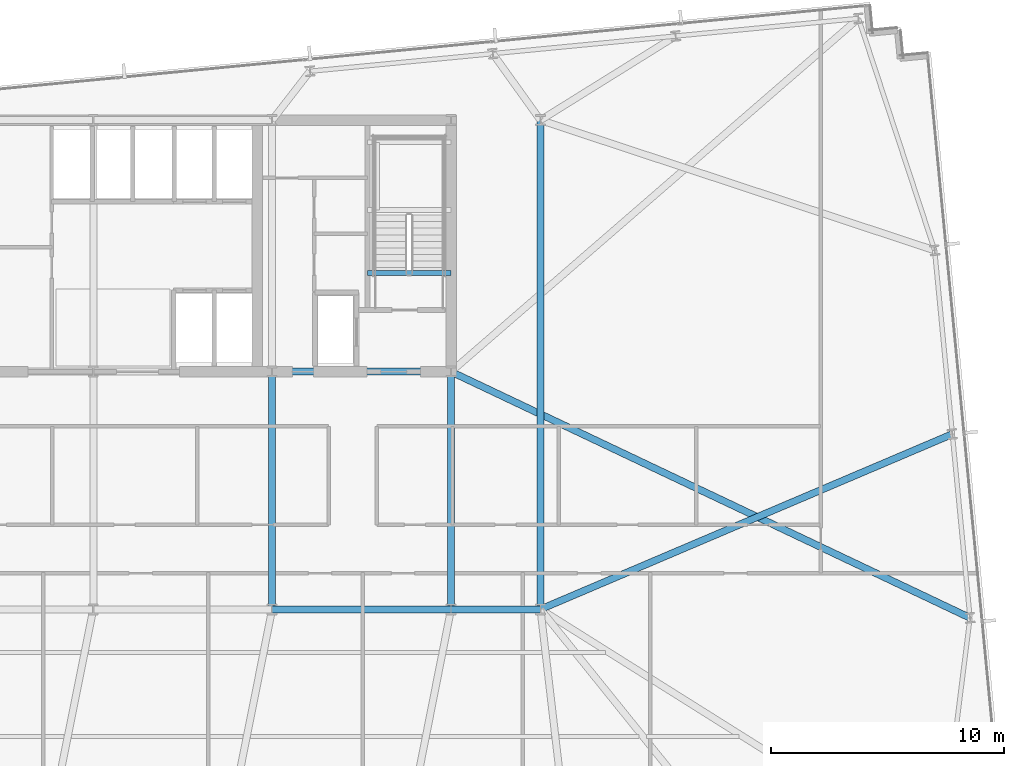
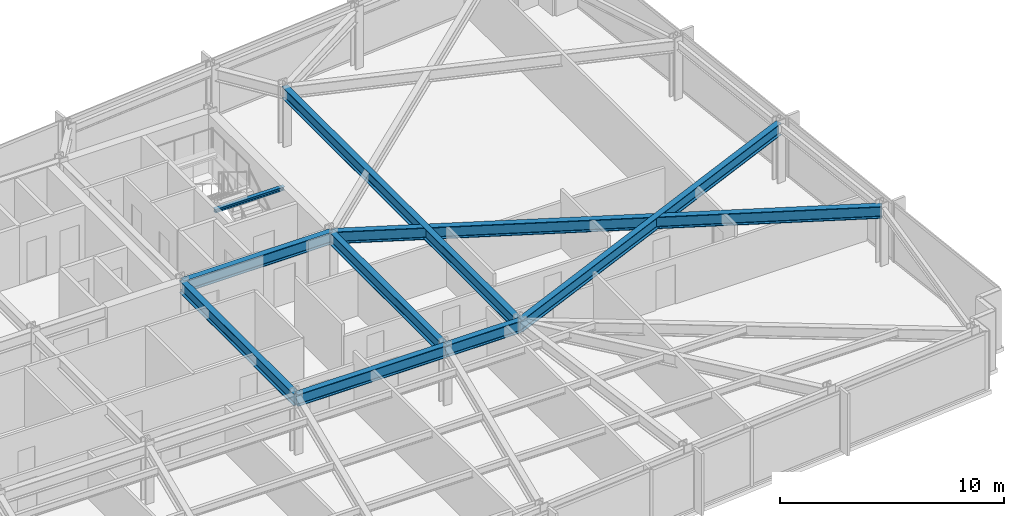
# One storey, part 15 of 33: 9 beams.
"""IFC4 building model written with IfcOpenShell, lengths in metres."""

from ifc_helpers import new_model, si_unit, direction, frame, origin, origin_2d, place, context, subcontext, project, spatial, i_section, extrude, material, material_profile, profile_set, type_object, element, save


model = new_model("IFC4")

# Units and contexts
model_context = context("Model", 3, precision=1e-05, world=origin(), true_north=direction((0.0, 1.0)))
body_context = subcontext(model_context, "Body", "Model", "MODEL_VIEW")
ifc_project = project(units=[si_unit("LENGTHUNIT", "METRE"), si_unit("AREAUNIT", "SQUARE_METRE"), si_unit("VOLUMEUNIT", "CUBIC_METRE"), si_unit("PLANEANGLEUNIT", "RADIAN"), si_unit("MASSUNIT", "GRAM", prefix="KILO")], contexts=[model_context])

# Site, building, storey
site_placement = place(None, origin())
site = spatial("IfcSite", under=ifc_project, at=site_placement, CompositionType="ELEMENT")
building_placement = place(site_placement, origin())
building = spatial("IfcBuilding", under=site, at=building_placement, Name="Yelkora Congress Tower", CompositionType="ELEMENT")
storey_placement = place(building_placement, frame((0.0, 0.0, 106.699951171875)))
storey = spatial("IfcBuildingStorey", under=building, at=storey_placement, Name="L28", CompositionType="ELEMENT", Elevation=106.699951171875)

# Beams
ifc_material = material(Name="Steel S355J2", Category="steel")
ifc_material_profile_1 = material_profile(ifc_material, i_section(OverallWidth=0.300048828125, OverallDepth=0.64990234375, WebThickness=0.01611328125, FlangeThickness=0.031005859375, FilletRadius=0.027099609375, at=origin_2d()), Name="HEB 650")
ifc_profile_set_1 = profile_set([ifc_material_profile_1], Name="Steel S355J2")
beam_type_1 = type_object("IfcBeamType", Name="BM-GIRD-HEB650", PredefinedType="BEAM", material=ifc_profile_set_1)
beam_1_placement = place(storey_placement, frame((46.080078125, 25.199951171875, 2.85498046875), z_axis=(1.0, 0.0, 0.0), x_axis=(0.0, 1.0, 0.0)))
element("IfcBeam", 1, at=beam_1_placement, inside=storey, type_object=beam_type_1, Name="L28 Spine Grid D Girder 5", PredefinedType="BEAM", context=body_context, shape_type="SweptSolid", body=[
    extrude(i_section(OverallWidth=0.300048828125, OverallDepth=0.64990234375, WebThickness=0.01611328125, FlangeThickness=0.031005859375, FilletRadius=0.027099609375, at=origin_2d()), origin(), (0.0, 0.0, 1.0), 7.679931640625),
])
beam_2_placement = place(storey_placement, frame((53.760009765625, 25.199951171875, 2.85498046875), z_axis=(1.0, 0.0, 0.0), x_axis=(0.0, 1.0, 0.0)))
element("IfcBeam", 2, at=beam_2_placement, inside=storey, type_object=beam_type_1, Name="L28 Spine Grid D Girder 6", PredefinedType="BEAM", context=body_context, shape_type="SweptSolid", body=[
    extrude(i_section(OverallWidth=0.300048828125, OverallDepth=0.64990234375, WebThickness=0.01611328125, FlangeThickness=0.031005859375, FilletRadius=0.027099609375, at=origin_2d()), origin(), (0.0, 0.0, 1.0), 3.840087890625),
])
beam_3_placement = place(storey_placement, frame((46.080078125, 35.39990234375, 2.85498046875), z_axis=(1.0, 0.0, 0.0), x_axis=(0.0, 1.0, 0.0)))
element("IfcBeam", 3, at=beam_3_placement, inside=storey, type_object=beam_type_1, Name="L28 Core South Girder 4", PredefinedType="BEAM", context=body_context, shape_type="SweptSolid", body=[
    extrude(i_section(OverallWidth=0.300048828125, OverallDepth=0.64990234375, WebThickness=0.01611328125, FlangeThickness=0.031005859375, FilletRadius=0.027099609375, at=origin_2d()), origin(), (0.0, 0.0, 1.0), 7.679931640625),
])
for number, where, z_axis, x_axis, name in (
    (4, (46.080078125, 25.199951171875, 2.85498046875), (0.0, 1.0, 0.0), (-1.0, 0.0, 0.0), "L28 Core Tie Girder MC-D4"),
    (5, (53.760009765625, 25.199951171875, 2.85498046875), (0.0, 1.0, 0.0), (-1.0, 0.0, 0.0), "L28 Core Tie Girder MC-D5"),
):
    element("IfcBeam", number, at=place(storey_placement, frame(where, z_axis=z_axis, x_axis=x_axis)), inside=storey, type_object=beam_type_1, Name=name, PredefinedType="BEAM", context=body_context, shape_type="SweptSolid", body=[
        extrude(i_section(OverallWidth=0.300048828125, OverallDepth=0.64990234375, WebThickness=0.01611328125, FlangeThickness=0.031005859375, FilletRadius=0.027099609375, at=origin_2d()), origin(), (0.0, 0.0, 1.0), 10.199951171875),
    ])
beam_4_placement = place(storey_placement, frame((57.60009765625, 25.199951171875, 2.85498046875), z_axis=(0.0, 1.0, 0.0), x_axis=(-1.0, 0.0, 0.0)))
element("IfcBeam", 6, at=beam_4_placement, inside=storey, type_object=beam_type_1, Name="L28 Neck Flank Girder MC-F2", PredefinedType="BEAM", context=body_context, shape_type="SweptSolid", body=[
    extrude(i_section(OverallWidth=0.300048828125, OverallDepth=0.64990234375, WebThickness=0.01611328125, FlangeThickness=0.031005859375, FilletRadius=0.027099609375, at=origin_2d()), origin(), (0.0, 0.0, 1.0), 21.0),
])
beam_5_placement = place(storey_placement, frame((76.041259765625, 24.83349609375, 2.85498046875), z_axis=(-0.903547447445, 0.428488051427, 0.0), x_axis=(-0.428488051427, -0.903547447445, 0.0)))
element("IfcBeam", 7, at=beam_5_placement, inside=storey, type_object=beam_type_1, Name="L28 Primary Frame Girder E01", PredefinedType="BEAM", context=body_context, shape_type="SweptSolid", body=[
    extrude(i_section(OverallWidth=0.300048828125, OverallDepth=0.64990234375, WebThickness=0.01611328125, FlangeThickness=0.031005859375, FilletRadius=0.027099609375, at=origin_2d()), origin(), (0.0, 0.0, 1.0), 24.65966796875),
])
beam_6_placement = place(storey_placement, frame((75.28173828125, 32.721923828125, 2.85498046875), z_axis=(-0.920194564302, -0.391461318432, 0.0), x_axis=(0.391461318432, -0.920194564302, 0.0)))
element("IfcBeam", 8, at=beam_6_placement, inside=storey, type_object=beam_type_1, Name="L28 Primary Frame Girder E02", PredefinedType="BEAM", context=body_context, shape_type="SweptSolid", body=[
    extrude(i_section(OverallWidth=0.300048828125, OverallDepth=0.64990234375, WebThickness=0.01611328125, FlangeThickness=0.031005859375, FilletRadius=0.027099609375, at=origin_2d()), origin(), (0.0, 0.0, 1.0), 19.215087890625),
])
ifc_material_profile_2 = material_profile(ifc_material, i_section(OverallWidth=0.199951171875, OverallDepth=0.18994140625, WebThickness=0.006591796875, FlangeThickness=0.010009765625, FilletRadius=0.01806640625, at=origin_2d()), Name="HEA 200")
ifc_profile_set_2 = profile_set([ifc_material_profile_2], Name="Steel S355J2")
beam_type_2 = type_object("IfcBeamType", Name="BM-LAND-HEA200", PredefinedType="BEAM", material=ifc_profile_set_2)
beam_7_placement = place(storey_placement, frame((50.179931640625, 39.639892578125, 2.947509765625), z_axis=(1.0, 0.0, 0.0), x_axis=(0.0, 1.0, 0.0)))
element("IfcBeam", 9, at=beam_7_placement, inside=storey, type_object=beam_type_2, Name="ST-02 L28 Floor Arrival Stringer Header Beam", PredefinedType="BEAM", context=body_context, shape_type="SweptSolid", body=[
    extrude(i_section(OverallWidth=0.199951171875, OverallDepth=0.18994140625, WebThickness=0.006591796875, FlangeThickness=0.010009765625, FilletRadius=0.01806640625, at=origin_2d()), origin(), (0.0, 0.0, 1.0), 3.580078125),
])

save(model, "model.ifc")
